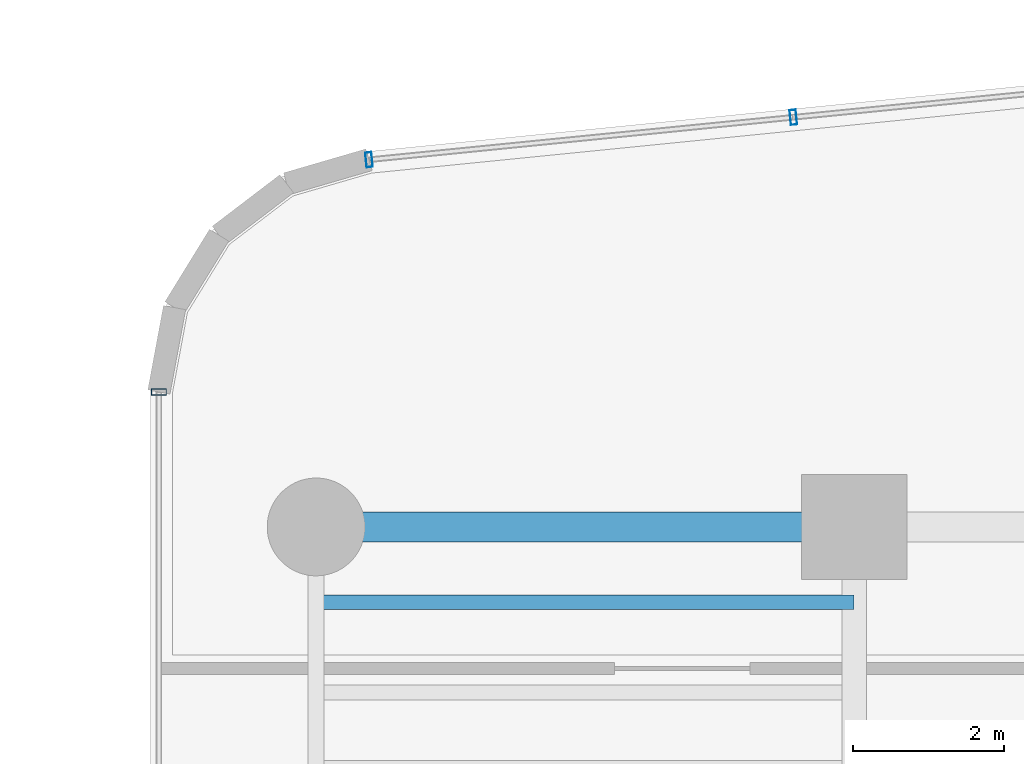
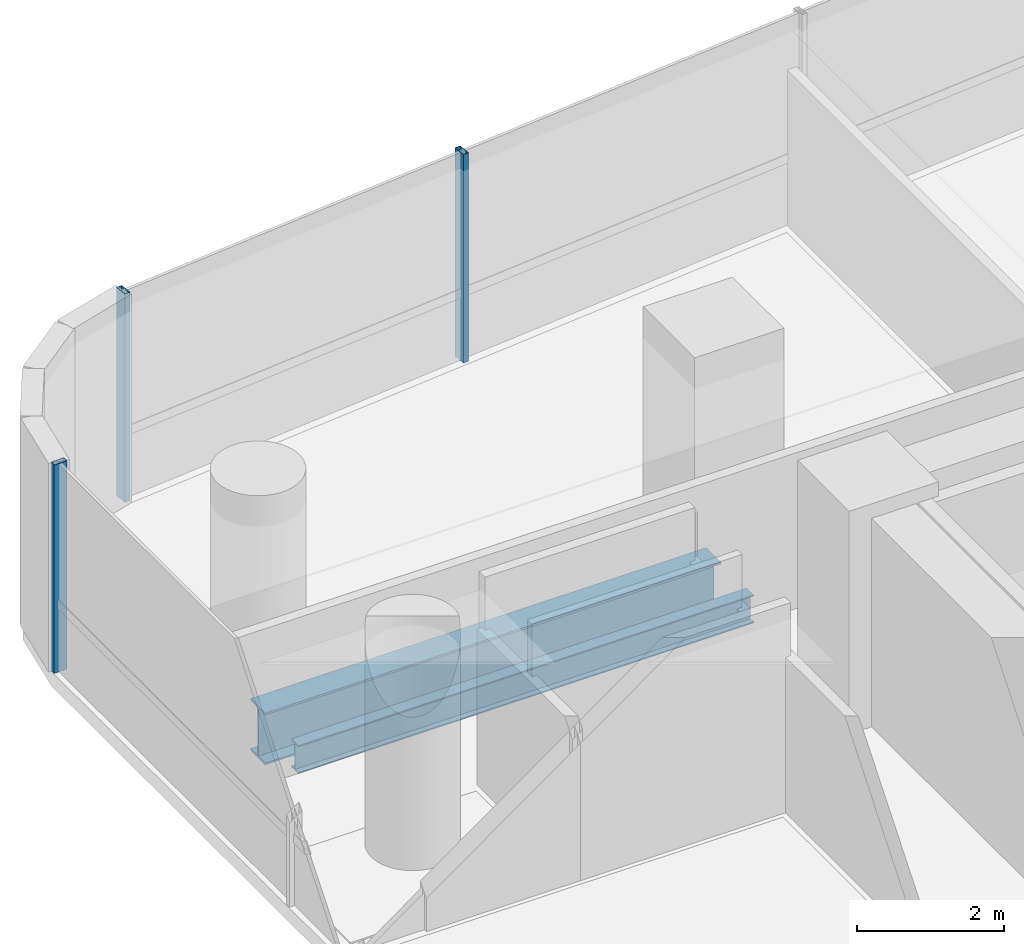
# One storey, part 18 of 40: 3 members, 2 beams, 2 elements without a shape of their own.
"""IFC4 building model written with IfcOpenShell, lengths in metres."""

from ifc_helpers import new_model, si_unit, direction, frame, origin, origin_2d, place, context, subcontext, project, spatial, hollow_rectangle, i_section, extrude, source, transform, mapped, material, material_profile, profile_set, type_object, element, aggregate, save


model = new_model("IFC4")

# Units and contexts
model_context = context("Model", 3, precision=1e-05, world=origin(), true_north=direction((0.0, 1.0)))
body_context = subcontext(model_context, "Body", "Model", "MODEL_VIEW")
ifc_project = project(units=[si_unit("LENGTHUNIT", "METRE"), si_unit("AREAUNIT", "SQUARE_METRE"), si_unit("VOLUMEUNIT", "CUBIC_METRE"), si_unit("PLANEANGLEUNIT", "RADIAN"), si_unit("MASSUNIT", "GRAM", prefix="KILO")], contexts=[model_context])

# Site, building, storey
site_placement = place(None, origin())
site = spatial("IfcSite", under=ifc_project, at=site_placement, CompositionType="ELEMENT")
building_placement = place(site_placement, origin())
building = spatial("IfcBuilding", under=site, at=building_placement, Name="Valdorenza Pilgrim Sanctuary Tower", CompositionType="ELEMENT")
storey_placement = place(building_placement, frame((0.0, 0.0, 66.699951171875)))
storey = spatial("IfcBuildingStorey", under=building, at=storey_placement, Name="L16", CompositionType="ELEMENT", Elevation=66.699951171875)

# Beams
ifc_material_1 = material(Name="Steel ASTM A992 Grade 50", Category="steel")
ifc_material_profile_1 = material_profile(ifc_material_1, i_section(OverallWidth=0.193115234375, OverallDepth=0.466064453125, WebThickness=0.011474609375, FlangeThickness=0.01904296875, at=origin_2d()), Name="W18X65")
ifc_profile_set_1 = profile_set([ifc_material_profile_1], Name="Steel ASTM A992 Grade 50")
beam_type_1 = type_object("IfcBeamType", Name="STR-BM-JST-W18A", PredefinedType="JOIST", material=ifc_profile_set_1)
shared_shape_1 = source(origin(), body_context, "Body", "SweptSolid", [
    extrude(i_section(OverallWidth=0.193115234375, OverallDepth=0.466064453125, WebThickness=0.011474609375, FlangeThickness=0.01904296875, at=origin_2d()), origin(), (0.0, 0.0, 1.0), 7.150146484375),
])
beam_1_placement = place(storey_placement, frame((-29.800048828125, 13.800048828125, -0.472900390625), z_axis=(1.0, 0.0, 0.0), x_axis=(0.0, 1.0, 0.0)))
element("IfcBeam", 1, at=beam_1_placement, inside=storey, type_object=beam_type_1, Name="L16 Composite Floor Joist JST-WA-26", PredefinedType="JOIST", context=body_context, shape_type="MappedRepresentation", body=[
    mapped(shared_shape_1, transform((0.0, 0.0, 0.0), x_axis=(1.0, 0.0, 0.0), y_axis=(0.0, 1.0, 0.0), z_axis=(0.0, 0.0, 1.0), scale=1.0)),
])
ifc_material_profile_2 = material_profile(ifc_material_1, i_section(OverallWidth=0.39990234375, OverallDepth=0.862060546875, WebThickness=0.019775390625, FlangeThickness=0.032470703125, at=origin_2d()), Name="W33X221")
ifc_profile_set_2 = profile_set([ifc_material_profile_2], Name="Steel ASTM A992 Grade 50")
beam_type_2 = type_object("IfcBeamType", Name="STR-BM-GRD-W33", PredefinedType="BEAM", material=ifc_profile_set_2)
shared_shape_2 = source(origin(), body_context, "Body", "SweptSolid", [
    extrude(i_section(OverallWidth=0.39990234375, OverallDepth=0.862060546875, WebThickness=0.019775390625, FlangeThickness=0.032470703125, at=origin_2d()), origin(), (0.0, 0.0, 1.0), 7.150146484375),
])
beam_2_placement = place(storey_placement, frame((-29.800048828125, 14.800048828125, -0.6708984375), z_axis=(1.0, 0.0, 0.0), x_axis=(0.0, 1.0, 0.0)))
element("IfcBeam", 2, at=beam_2_placement, inside=storey, type_object=beam_type_2, Name="L16 Floor Girder WA-XW-N2", PredefinedType="BEAM", context=body_context, shape_type="MappedRepresentation", body=[
    mapped(shared_shape_2, transform((0.0, 0.0, 0.0), x_axis=(1.0, 0.0, 0.0), y_axis=(0.0, 1.0, 0.0), z_axis=(0.0, 0.0, 1.0), scale=1.0)),
])

# Curtain wall, member
ifc_material_2 = material(Name="Curtain-wall IGU glazing", Category="glass")
curtain_wall_type = type_object("IfcCurtainWallType", Name="CW-SYS-02", PredefinedType="NOTDEFINED", material=ifc_material_2)
curtain_wall_1_placement = place(storey_placement, origin())
curtain_wall_1 = element("IfcCurtainWall", 3, at=curtain_wall_1_placement, inside=storey, type_object=curtain_wall_type, Name="L16 Curtain Wall CW-L16-1-1S2", PredefinedType="NOTDEFINED")
ifc_material_3 = material(Name="Anodised aluminium AW-6060", Category="aluminium")
ifc_material_profile_3 = material_profile(ifc_material_3, hollow_rectangle(XDim=0.0849609375, YDim=0.199951171875, WallThickness=0.0048828125, at=origin_2d()), Name="ALU-M 200x85x5")
ifc_profile_set_3 = profile_set([ifc_material_profile_3], Name="Anodised aluminium AW-6060")
member_type = type_object("IfcMemberType", Name="CW-MUL-02", PredefinedType="MULLION", material=ifc_profile_set_3)
shared_shape_3 = source(origin(), body_context, "Body", "SweptSolid", [
    extrude(hollow_rectangle(XDim=0.0849609375, YDim=0.199951171875, WallThickness=0.0048828125, at=origin_2d()), origin(), (0.0, 0.0, 1.0), 3.4599609375),
])
member_1_placement = place(storey_placement, frame((-31.889892578125, 16.593994140625, 0.0), z_axis=(0.0, 0.0, 1.0), x_axis=(0.0, 1.0, 0.0)))
member_1 = element("IfcMember", 4, at=member_1_placement, type_object=member_type, Name="CW-L16-1-1S2 Mullion 4", PredefinedType="MULLION", context=body_context, shape_type="MappedRepresentation", body=[
    mapped(shared_shape_3, transform((0.0, 0.0, 0.0), x_axis=(1.0, 0.0, 0.0), y_axis=(0.0, 1.0, 0.0), z_axis=(0.0, 0.0, 1.0), scale=1.0)),
])
aggregate(curtain_wall_1, [member_1])

# Curtain wall, members
curtain_wall_2_placement = place(storey_placement, origin())
curtain_wall_2 = element("IfcCurtainWall", 5, at=curtain_wall_2_placement, inside=storey, type_object=curtain_wall_type, Name="L16 Curtain Wall CW-L16-1-6", PredefinedType="NOTDEFINED")
member_2_placement = place(storey_placement, frame((-29.097412109375, 19.6796875, 0.0), z_axis=(0.0, 0.0, 1.0), x_axis=(0.995038220239, 0.099493418189, 0.0)))
member_2 = element("IfcMember", 6, at=member_2_placement, type_object=member_type, Name="CW-L16-1-6 Mullion 1", PredefinedType="MULLION", context=body_context, shape_type="MappedRepresentation", body=[
    mapped(shared_shape_3, transform((0.0, 0.0, 0.0), x_axis=(1.0, 0.0, 0.0), y_axis=(0.0, 1.0, 0.0), z_axis=(0.0, 0.0, 1.0), scale=1.0)),
])
member_3_placement = place(storey_placement, frame((-23.458984375, 20.24365234375, 0.0), z_axis=(0.0, 0.0, 1.0), x_axis=(0.995038220239, 0.099493418189, 0.0)))
member_3 = element("IfcMember", 7, at=member_3_placement, type_object=member_type, Name="CW-L16-1-6 Mullion 2", PredefinedType="MULLION", context=body_context, shape_type="MappedRepresentation", body=[
    mapped(shared_shape_3, transform((0.0, 0.0, 0.0), x_axis=(1.0, 0.0, 0.0), y_axis=(0.0, 1.0, 0.0), z_axis=(0.0, 0.0, 1.0), scale=1.0)),
])
aggregate(curtain_wall_2, [member_2, member_3])

save(model, "model.ifc")
